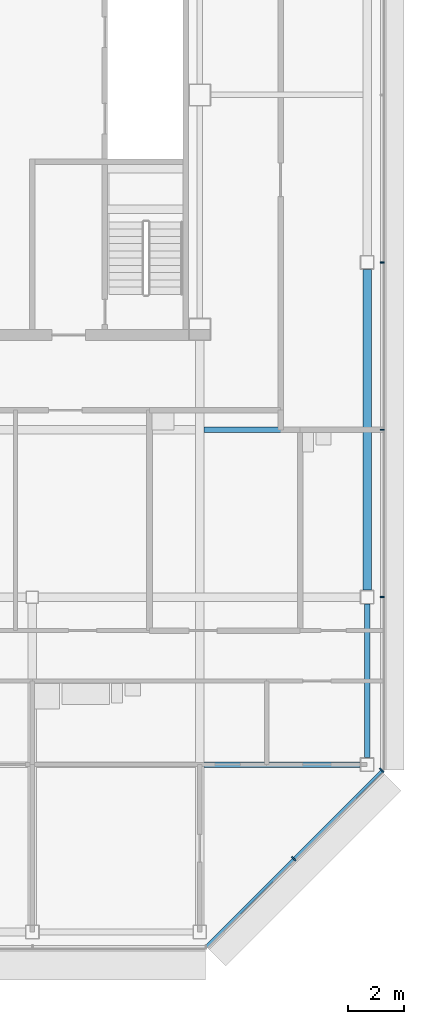
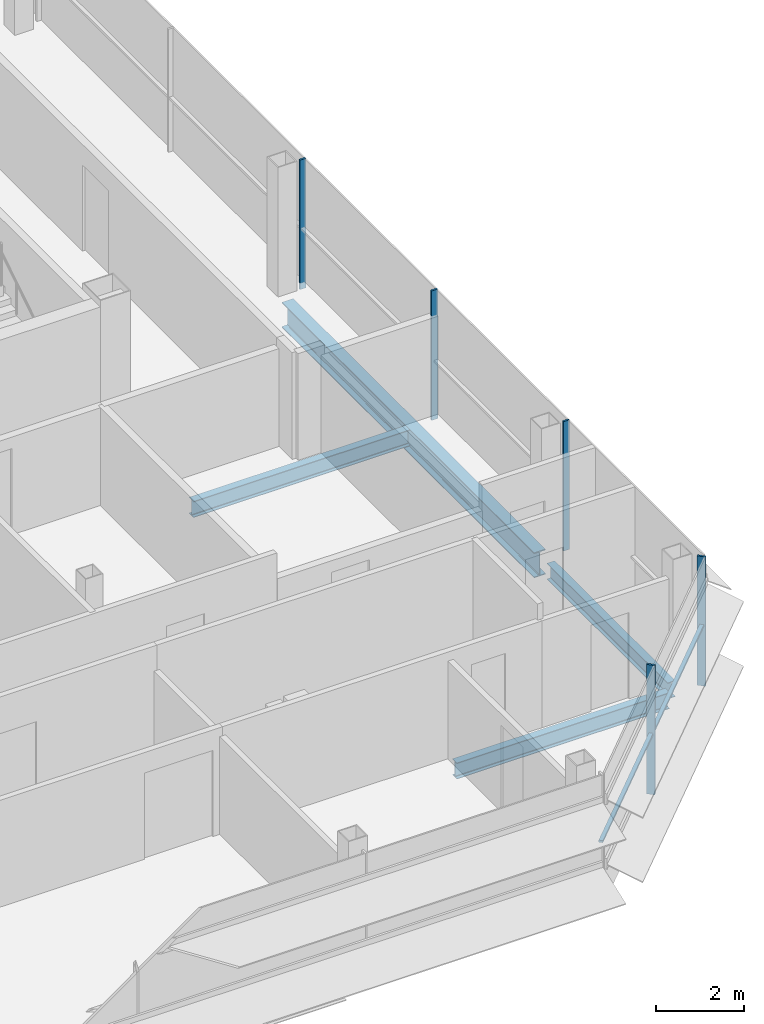
# One storey, part 17 of 27: 6 members, 4 beams, 2 elements without a shape of their own.
"""IFC4 building model written with IfcOpenShell, lengths in metres."""

from ifc_helpers import new_model, si_unit, direction, frame, origin, origin_2d, place, context, subcontext, project, spatial, rectangle, i_section, extrude, material, material_profile, profile_set, type_object, element, aggregate, save


model = new_model("IFC4")

# Units and contexts
model_context = context("Model", 3, precision=1e-05, world=origin(), true_north=direction((0.0, 1.0)))
body_context = subcontext(model_context, "Body", "Model", "MODEL_VIEW")
ifc_project = project(units=[si_unit("LENGTHUNIT", "METRE"), si_unit("AREAUNIT", "SQUARE_METRE"), si_unit("VOLUMEUNIT", "CUBIC_METRE"), si_unit("PLANEANGLEUNIT", "RADIAN"), si_unit("MASSUNIT", "GRAM", prefix="KILO")], contexts=[model_context])

# Site, building, storey
site_placement = place(None, origin())
site = spatial("IfcSite", under=ifc_project, at=site_placement, CompositionType="ELEMENT")
building_placement = place(site_placement, origin())
building = spatial("IfcBuilding", under=site, at=building_placement, Name="Sorahane Residences", CompositionType="ELEMENT")
storey_placement = place(building_placement, frame((0.0, 0.0, 312.39990234375)))
storey = spatial("IfcBuildingStorey", under=building, at=storey_placement, Name="L74", CompositionType="ELEMENT", Elevation=312.39990234375)

# Curtain wall, members
ifc_material_1 = material(Name="Dark low-e glass and black anodised aluminium", Category="aluminium")
curtain_wall_type_1 = type_object("IfcCurtainWallType", Name="Curtain wall CW-1 Typical unitised wall", PredefinedType="NOTDEFINED", material=ifc_material_1)
curtain_wall_1_placement = place(storey_placement, origin())
curtain_wall_1 = element("IfcCurtainWall", 1, at=curtain_wall_1_placement, inside=storey, type_object=curtain_wall_type_1, Name="CW-1 curtain wall L74 E1", PredefinedType="NOTDEFINED")
ifc_material_2 = material(Name="Black anodised aluminium", Category="aluminium")
ifc_material_profile_1 = material_profile(ifc_material_2, rectangle(XDim=0.159912109375, YDim=0.050048828125, at=origin_2d()), Name="Curtain wall mullion CW-1 black anodised aluminium 50x160")
ifc_profile_set_1 = profile_set([ifc_material_profile_1], Name="Black anodised aluminium")
member_type_1 = type_object("IfcMemberType", Name="Curtain wall mullion CW-1 black anodised aluminium 50x160", PredefinedType="MULLION", material=ifc_profile_set_1)
member_1_placement = place(storey_placement, frame((48.5400390625, 12.0, -0.179931640625), z_axis=(0.0, 0.0, 1.0), x_axis=(1.0, 0.0, 0.0)))
member_1 = element("IfcMember", 2, at=member_1_placement, type_object=member_type_1, Name="CW-1 mullion L74 E1.2", PredefinedType="MULLION", context=body_context, shape_type="SweptSolid", body=[
    extrude(rectangle(XDim=0.159912109375, YDim=0.050048828125, at=origin_2d()), origin(), (0.0, 0.0, 1.0), 3.60009765625),
])
member_2_placement = place(storey_placement, frame((48.5400390625, 18.0, -0.179931640625), z_axis=(0.0, 0.0, 1.0), x_axis=(1.0, 0.0, 0.0)))
member_2 = element("IfcMember", 3, at=member_2_placement, type_object=member_type_1, Name="CW-1 mullion L74 E1.3", PredefinedType="MULLION", context=body_context, shape_type="SweptSolid", body=[
    extrude(rectangle(XDim=0.159912109375, YDim=0.050048828125, at=origin_2d()), origin(), (0.0, 0.0, 1.0), 3.60009765625),
])
member_3_placement = place(storey_placement, frame((48.5400390625, 24.0, -0.179931640625), z_axis=(0.0, 0.0, 1.0), x_axis=(1.0, 0.0, 0.0)))
member_3 = element("IfcMember", 4, at=member_3_placement, type_object=member_type_1, Name="CW-1 mullion L74 E1.4", PredefinedType="MULLION", context=body_context, shape_type="SweptSolid", body=[
    extrude(rectangle(XDim=0.159912109375, YDim=0.050048828125, at=origin_2d()), origin(), (0.0, 0.0, 1.0), 3.60009765625),
])
aggregate(curtain_wall_1, [member_1, member_2, member_3])

ifc_material_3 = material(Name="Dark low-e glass and black anodised aluminium", Category="aluminium")
curtain_wall_type_2 = type_object("IfcCurtainWallType", Name="Curtain wall CW-2 Chamfer unitised wall", PredefinedType="NOTDEFINED", material=ifc_material_3)
curtain_wall_2_placement = place(storey_placement, origin())
curtain_wall_2 = element("IfcCurtainWall", 5, at=curtain_wall_2_placement, inside=storey, type_object=curtain_wall_type_2, Name="CW-2 curtain wall L74 SE1", PredefinedType="NOTDEFINED")
ifc_material_4 = material(Name="Black anodised aluminium", Category="aluminium")
ifc_material_profile_2 = material_profile(ifc_material_4, rectangle(XDim=0.199951171875, YDim=0.050048828125, at=origin_2d()), Name="Curtain wall mullion CW-2 black anodised aluminium 50x200")
ifc_profile_set_2 = profile_set([ifc_material_profile_2], Name="Black anodised aluminium")
member_type_2 = type_object("IfcMemberType", Name="Curtain wall mullion CW-2 black anodised aluminium 50x200", PredefinedType="MULLION", material=ifc_profile_set_2)
member_4_placement = place(storey_placement, frame((45.36767578125, 2.63232421875, -0.179931640625), z_axis=(0.0, 0.0, 1.0), x_axis=(0.707106781187, -0.707106781187, 0.0)))
member_4 = element("IfcMember", 6, at=member_4_placement, type_object=member_type_2, Name="CW-2 mullion L74 SE1.2", PredefinedType="MULLION", context=body_context, shape_type="SweptSolid", body=[
    extrude(rectangle(XDim=0.199951171875, YDim=0.050048828125, at=origin_2d()), origin(), (0.0, 0.0, 1.0), 3.60009765625),
])
member_5_placement = place(storey_placement, frame((48.525634765625, 5.790283203125, -0.179931640625), z_axis=(0.0, 0.0, 1.0), x_axis=(0.707106781187, -0.707106781187, 0.0)))
member_5 = element("IfcMember", 7, at=member_5_placement, type_object=member_type_2, Name="CW-2 mullion L74 SE1.3", PredefinedType="MULLION", context=body_context, shape_type="SweptSolid", body=[
    extrude(rectangle(XDim=0.199951171875, YDim=0.050048828125, at=origin_2d()), origin(), (0.0, 0.0, 1.0), 3.60009765625),
])
ifc_material_5 = material(Name="Black anodised aluminium", Category="aluminium")
ifc_material_profile_3 = material_profile(ifc_material_5, rectangle(XDim=0.10009765625, YDim=0.06005859375, at=origin_2d()), Name="Curtain wall transom CW-2 black anodised aluminium 60x100")
ifc_profile_set_3 = profile_set([ifc_material_profile_3], Name="Black anodised aluminium")
member_type_3 = type_object("IfcMemberType", Name="Curtain wall transom CW-2 black anodised aluminium 60x100", PredefinedType="USERDEFINED", material=ifc_profile_set_3)
member_6_placement = place(storey_placement, frame((42.234375, -0.51513671875, 1.5), z_axis=(0.707106781187, 0.707106781187, 0.0), x_axis=(-0.707106781187, 0.707106781187, 0.0)))
member_6 = element("IfcMember", 8, at=member_6_placement, type_object=member_type_3, Name="CW-2 transom L74 SE1", ObjectType="TRANSOM", PredefinedType="USERDEFINED", context=body_context, shape_type="SweptSolid", body=[
    extrude(rectangle(XDim=0.10009765625, YDim=0.06005859375, at=origin_2d()), origin(), (0.0, 0.0, 1.0), 8.88232421875),
])
aggregate(curtain_wall_2, [member_4, member_5, member_6])

# Beams
ifc_material_6 = material(Name="Steel Q355B", Category="steel")
ifc_material_profile_4 = material_profile(ifc_material_6, i_section(OverallWidth=0.199951171875, OverallDepth=0.449951171875, WebThickness=0.009033203125, FlangeThickness=0.013916015625, FilletRadius=0.02001953125, at=origin_2d()), Name="HN 450x200x9x14")
ifc_profile_set_4 = profile_set([ifc_material_profile_4], Name="Steel Q355B")
beam_type_1 = type_object("IfcBeamType", Name="Steel floor beam HN 450x200x9x14 Q355B", PredefinedType="BEAM", material=ifc_profile_set_4)
beam_1_placement = place(storey_placement, frame((48.0, 6.25, -0.40478515625), z_axis=(0.0, 1.0, 0.0), x_axis=(-1.0, 0.0, 0.0)))
element("IfcBeam", 9, at=beam_1_placement, inside=storey, type_object=beam_type_1, Name="Beam L74 062", PredefinedType="BEAM", context=body_context, shape_type="SweptSolid", body=[
    extrude(i_section(OverallWidth=0.199951171875, OverallDepth=0.449951171875, WebThickness=0.009033203125, FlangeThickness=0.013916015625, FilletRadius=0.02001953125, at=origin_2d()), origin(), (0.0, 0.0, 1.0), 5.5),
])
beam_2_placement = place(storey_placement, frame((42.14990234375, 6.0, -0.40478515625), z_axis=(1.0, 0.0, 0.0), x_axis=(0.0, 1.0, 0.0)))
element("IfcBeam", 10, at=beam_2_placement, inside=storey, type_object=beam_type_1, Name="Beam L74 075", PredefinedType="BEAM", context=body_context, shape_type="SweptSolid", body=[
    extrude(i_section(OverallWidth=0.199951171875, OverallDepth=0.449951171875, WebThickness=0.009033203125, FlangeThickness=0.013916015625, FilletRadius=0.02001953125, at=origin_2d()), origin(), (0.0, 0.0, 1.0), 5.60009765625),
])
beam_3_placement = place(storey_placement, frame((42.14990234375, 18.0, -0.40478515625), z_axis=(1.0, 0.0, 0.0), x_axis=(0.0, 1.0, 0.0)))
element("IfcBeam", 11, at=beam_3_placement, inside=storey, type_object=beam_type_1, Name="Beam L74 082", PredefinedType="BEAM", context=body_context, shape_type="SweptSolid", body=[
    extrude(i_section(OverallWidth=0.199951171875, OverallDepth=0.449951171875, WebThickness=0.009033203125, FlangeThickness=0.013916015625, FilletRadius=0.02001953125, at=origin_2d()), origin(), (0.0, 0.0, 1.0), 5.7001953125),
])
ifc_material_7 = material(Name="Steel Q355B", Category="steel")
ifc_material_profile_5 = material_profile(ifc_material_7, i_section(OverallWidth=0.300048828125, OverallDepth=0.699951171875, WebThickness=0.012939453125, FlangeThickness=0.02392578125, FilletRadius=0.028076171875, at=origin_2d()), Name="HN 700x300x13x24")
ifc_profile_set_5 = profile_set([ifc_material_profile_5], Name="Steel Q355B")
beam_type_2 = type_object("IfcBeamType", Name="Steel floor beam HN 700x300x13x24 Q355B", PredefinedType="BEAM", material=ifc_profile_set_5)
beam_4_placement = place(storey_placement, frame((48.0, 12.25, -0.52978515625), z_axis=(0.0, 1.0, 0.0), x_axis=(-1.0, 0.0, 0.0)))
element("IfcBeam", 12, at=beam_4_placement, inside=storey, type_object=beam_type_2, Name="Beam L74 063", PredefinedType="BEAM", context=body_context, shape_type="SweptSolid", body=[
    extrude(i_section(OverallWidth=0.300048828125, OverallDepth=0.699951171875, WebThickness=0.012939453125, FlangeThickness=0.02392578125, FilletRadius=0.028076171875, at=origin_2d()), origin(), (0.0, 0.0, 1.0), 11.5),
])

save(model, "model.ifc")
